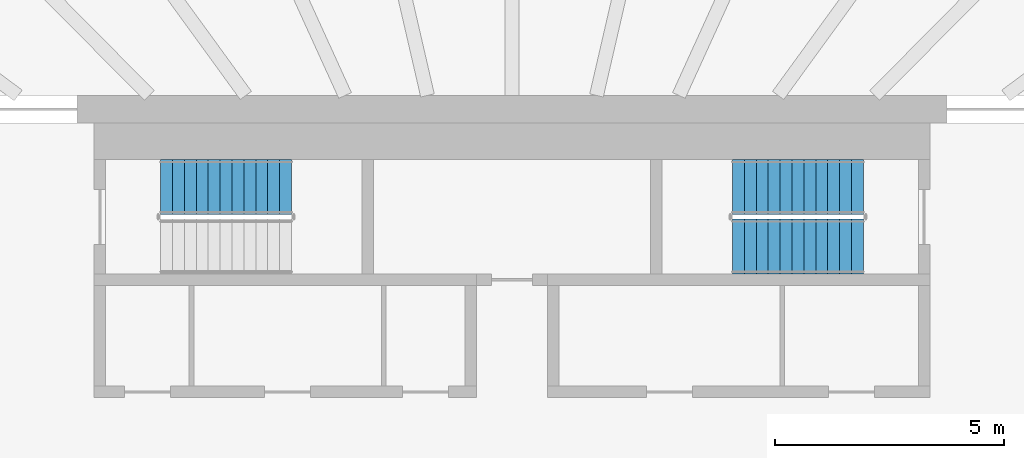
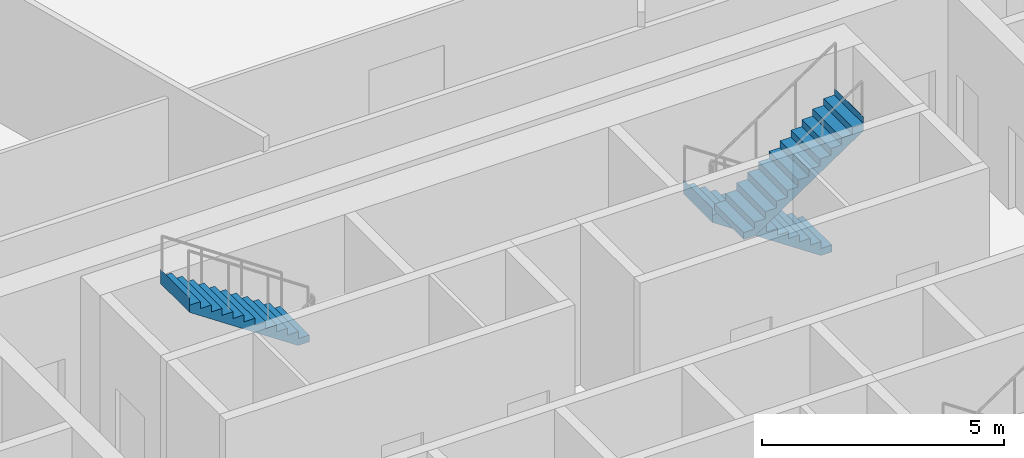
# One storey, part 19 of 25: 3 stair flights, 2 elements without a shape of their own.
"""IFC4 building model written with IfcOpenShell, lengths in metres."""

from ifc_helpers import new_model, si_unit, direction, frame, origin, place, context, subcontext, project, spatial, triangles, material, type_object, element, aggregate, save


model = new_model("IFC4")

# Units and contexts
model_context = context("Model", 3, precision=1e-05, world=origin(), true_north=direction((0.0, 1.0)))
body_context = subcontext(model_context, "Body", "Model", "MODEL_VIEW")
ifc_project = project(units=[si_unit("LENGTHUNIT", "METRE"), si_unit("AREAUNIT", "SQUARE_METRE"), si_unit("VOLUMEUNIT", "CUBIC_METRE"), si_unit("PLANEANGLEUNIT", "RADIAN"), si_unit("MASSUNIT", "GRAM", prefix="KILO")], contexts=[model_context])

# Site, building, storey
site_placement = place(None, origin())
site = spatial("IfcSite", under=ifc_project, at=site_placement, CompositionType="ELEMENT")
building_placement = place(site_placement, origin())
building = spatial("IfcBuilding", under=site, at=building_placement, Name="Sahrelin Media Tower", CompositionType="ELEMENT")
storey_placement = place(building_placement, frame((0.0, 0.0, 114.60009765625)))
storey = spatial("IfcBuildingStorey", under=building, at=storey_placement, Name="L22", CompositionType="ELEMENT", Elevation=114.60009765625)

# Stair, stair flight
ifc_material = material(Name="Concrete C40/50", Category="concrete")
stair_type = type_object("IfcStairType", Name="Exit stair 1200", PredefinedType="HALF_TURN_STAIR", material=ifc_material)
placement = place(storey_placement, origin())
stair_1 = element("IfcStair", 1, at=placement, inside=storey, type_object=stair_type, Name="L22 Exit stair ST1", PredefinedType="HALF_TURN_STAIR")
stair_flight_type = type_object("IfcStairFlightType", Name="Stair flight 1200", PredefinedType="STRAIGHT", material=ifc_material)
stair_flight_1_placement = place(storey_placement, frame((-4.81494140625, 6.0, 2.099853515625), z_axis=(0.0, 0.0, 1.0), x_axis=(-1.0, 0.0, 0.0)))
stair_flight_1 = element("IfcStairFlight", 2, at=stair_flight_1_placement, type_object=stair_flight_type, Name="ST1 flight 2", NumberOfRisers=12, NumberOfTreads=11, PredefinedType="STRAIGHT", RiserHeight=0.175, TreadLength=0.26, context=body_context, shape_type="Tessellation", body=[
    triangles([(0.2685546875, 0.60009765625, 0.0), (0.2685546875, 0.300048828125, 0.0), (0.2685546875, 0.0, 0.0), (0.2685546875, -0.300048828125, 0.0), (0.2685546875, -0.60009765625, 0.0), (2.860107421875, 0.60009765625, 1.744384765625), (2.860107421875, 0.300048828125, 1.744384765625), (2.860107421875, 0.0, 1.744384765625), (2.860107421875, -0.300048828125, 1.744384765625), (2.860107421875, -0.60009765625, 1.744384765625), (2.860107421875, 0.60009765625, 2.10009765625), (2.860107421875, 0.300048828125, 2.10009765625), (2.860107421875, 0.0, 2.10009765625), (2.860107421875, -0.300048828125, 2.10009765625), (2.860107421875, -0.60009765625, 2.10009765625), (2.85791015625, 0.60009765625, 2.10009765625), (2.85791015625, 0.300048828125, 2.10009765625), (2.85791015625, 0.0, 2.10009765625), (2.85791015625, -0.300048828125, 2.10009765625), (2.85791015625, -0.60009765625, 2.10009765625), (2.85791015625, 0.60009765625, 1.925048828125), (2.85791015625, 0.300048828125, 1.925048828125), (2.85791015625, 0.0, 1.925048828125), (2.85791015625, -0.300048828125, 1.925048828125), (2.85791015625, -0.60009765625, 1.925048828125), (2.60009765625, 0.60009765625, 1.925048828125), (2.60009765625, 0.300048828125, 1.925048828125), (2.60009765625, 0.0, 1.925048828125), (2.60009765625, -0.300048828125, 1.925048828125), (2.60009765625, -0.60009765625, 1.925048828125), (2.60009765625, 0.60009765625, 1.75), (2.60009765625, 0.300048828125, 1.75), (2.60009765625, 0.0, 1.75), (2.60009765625, -0.300048828125, 1.75), (2.60009765625, -0.60009765625, 1.75), (2.340087890625, 0.60009765625, 1.75), (2.340087890625, 0.300048828125, 1.75), (2.340087890625, 0.0, 1.75), (2.340087890625, -0.300048828125, 1.75), (2.340087890625, -0.60009765625, 1.75), (2.340087890625, 0.60009765625, 1.574951171875), (2.340087890625, 0.300048828125, 1.574951171875), (2.340087890625, 0.0, 1.574951171875), (2.340087890625, -0.300048828125, 1.574951171875), (2.340087890625, -0.60009765625, 1.574951171875), (2.080078125, 0.60009765625, 1.574951171875), (2.080078125, 0.300048828125, 1.574951171875), (2.080078125, 0.0, 1.574951171875), (2.080078125, -0.300048828125, 1.574951171875), (2.080078125, -0.60009765625, 1.574951171875), (2.080078125, 0.60009765625, 1.39990234375), (2.080078125, 0.300048828125, 1.39990234375), (2.080078125, 0.0, 1.39990234375), (2.080078125, -0.300048828125, 1.39990234375), (2.080078125, -0.60009765625, 1.39990234375), (1.820068359375, 0.60009765625, 1.39990234375), (1.820068359375, 0.300048828125, 1.39990234375), (1.820068359375, 0.0, 1.39990234375), (1.820068359375, -0.300048828125, 1.39990234375), (1.820068359375, -0.60009765625, 1.39990234375), (1.820068359375, 0.60009765625, 1.22509765625), (1.820068359375, 0.300048828125, 1.22509765625), (1.820068359375, 0.0, 1.22509765625), (1.820068359375, -0.300048828125, 1.22509765625), (1.820068359375, -0.60009765625, 1.22509765625), (1.56005859375, 0.60009765625, 1.22509765625), (1.56005859375, 0.300048828125, 1.22509765625), (1.56005859375, 0.0, 1.22509765625), (1.56005859375, -0.300048828125, 1.22509765625), (1.56005859375, -0.60009765625, 1.22509765625), (1.56005859375, 0.60009765625, 1.050048828125), (1.56005859375, 0.300048828125, 1.050048828125), (1.56005859375, 0.0, 1.050048828125), (1.56005859375, -0.300048828125, 1.050048828125), (1.56005859375, -0.60009765625, 1.050048828125), (1.300048828125, 0.60009765625, 1.050048828125), (1.300048828125, 0.300048828125, 1.050048828125), (1.300048828125, 0.0, 1.050048828125), (1.300048828125, -0.300048828125, 1.050048828125), (1.300048828125, -0.60009765625, 1.050048828125), (1.300048828125, 0.60009765625, 0.875), (1.300048828125, 0.300048828125, 0.875), (1.300048828125, 0.0, 0.875), (1.300048828125, -0.300048828125, 0.875), (1.300048828125, -0.60009765625, 0.875), (1.0400390625, 0.60009765625, 0.875), (1.0400390625, 0.300048828125, 0.875), (1.0400390625, 0.0, 0.875), (1.0400390625, -0.300048828125, 0.875), (1.0400390625, -0.60009765625, 0.875), (1.0400390625, 0.60009765625, 0.699951171875), (1.0400390625, 0.300048828125, 0.699951171875), (1.0400390625, 0.0, 0.699951171875), (1.0400390625, -0.300048828125, 0.699951171875), (1.0400390625, -0.60009765625, 0.699951171875), (0.780029296875, 0.60009765625, 0.699951171875), (0.780029296875, 0.300048828125, 0.699951171875), (0.780029296875, 0.0, 0.699951171875), (0.780029296875, -0.300048828125, 0.699951171875), (0.780029296875, -0.60009765625, 0.699951171875), (0.780029296875, 0.60009765625, 0.52490234375), (0.780029296875, 0.300048828125, 0.52490234375), (0.780029296875, 0.0, 0.52490234375), (0.780029296875, -0.300048828125, 0.52490234375), (0.780029296875, -0.60009765625, 0.52490234375), (0.52001953125, 0.60009765625, 0.52490234375), (0.52001953125, 0.300048828125, 0.52490234375), (0.52001953125, 0.0, 0.52490234375), (0.52001953125, -0.300048828125, 0.52490234375), (0.52001953125, -0.60009765625, 0.52490234375), (0.52001953125, 0.60009765625, 0.35009765625), (0.52001953125, 0.300048828125, 0.35009765625), (0.52001953125, 0.0, 0.35009765625), (0.52001953125, -0.300048828125, 0.35009765625), (0.52001953125, -0.60009765625, 0.35009765625), (0.260009765625, 0.60009765625, 0.35009765625), (0.260009765625, 0.300048828125, 0.35009765625), (0.260009765625, 0.0, 0.35009765625), (0.260009765625, -0.300048828125, 0.35009765625), (0.260009765625, -0.60009765625, 0.35009765625), (0.260009765625, 0.60009765625, 0.175048828125), (0.260009765625, 0.300048828125, 0.175048828125), (0.260009765625, 0.0, 0.175048828125), (0.260009765625, -0.300048828125, 0.175048828125), (0.260009765625, -0.60009765625, 0.175048828125), (0.0, 0.60009765625, 0.175048828125), (0.0, 0.300048828125, 0.175048828125), (0.0, 0.0, 0.175048828125), (0.0, -0.300048828125, 0.175048828125), (0.0, -0.60009765625, 0.175048828125), (0.0, 0.60009765625, 0.0), (0.0, 0.300048828125, 0.0), (0.0, 0.0, 0.0), (0.0, -0.300048828125, 0.0), (0.0, -0.60009765625, 0.0)], [[1, 6, 7], [1, 7, 2], [2, 7, 8], [2, 8, 3], [3, 8, 9], [3, 9, 4], [4, 9, 10], [4, 10, 5], [6, 11, 12], [6, 12, 7], [7, 12, 13], [7, 13, 8], [8, 13, 14], [8, 14, 9], [9, 14, 15], [9, 15, 10], [11, 16, 17], [11, 17, 12], [12, 17, 18], [12, 18, 13], [13, 18, 19], [13, 19, 14], [14, 19, 20], [14, 20, 15], [16, 21, 22], [16, 22, 17], [17, 22, 23], [17, 23, 18], [18, 23, 24], [18, 24, 19], [19, 24, 25], [19, 25, 20], [21, 26, 27], [21, 27, 22], [22, 27, 28], [22, 28, 23], [23, 28, 29], [23, 29, 24], [24, 29, 30], [24, 30, 25], [26, 31, 32], [26, 32, 27], [27, 32, 33], [27, 33, 28], [28, 33, 34], [28, 34, 29], [29, 34, 35], [29, 35, 30], [31, 36, 37], [31, 37, 32], [32, 37, 38], [32, 38, 33], [33, 38, 39], [33, 39, 34], [34, 39, 40], [34, 40, 35], [36, 41, 42], [36, 42, 37], [37, 42, 43], [37, 43, 38], [38, 43, 44], [38, 44, 39], [39, 44, 45], [39, 45, 40], [41, 46, 47], [41, 47, 42], [42, 47, 48], [42, 48, 43], [43, 48, 49], [43, 49, 44], [44, 49, 50], [44, 50, 45], [46, 51, 52], [46, 52, 47], [47, 52, 53], [47, 53, 48], [48, 53, 54], [48, 54, 49], [49, 54, 55], [49, 55, 50], [51, 56, 57], [51, 57, 52], [52, 57, 58], [52, 58, 53], [53, 58, 59], [53, 59, 54], [54, 59, 60], [54, 60, 55], [56, 61, 62], [56, 62, 57], [57, 62, 63], [57, 63, 58], [58, 63, 64], [58, 64, 59], [59, 64, 65], [59, 65, 60], [61, 66, 67], [61, 67, 62], [62, 67, 68], [62, 68, 63], [63, 68, 69], [63, 69, 64], [64, 69, 70], [64, 70, 65], [66, 71, 72], [66, 72, 67], [67, 72, 73], [67, 73, 68], [68, 73, 74], [68, 74, 69], [69, 74, 75], [69, 75, 70], [71, 76, 77], [71, 77, 72], [72, 77, 78], [72, 78, 73], [73, 78, 79], [73, 79, 74], [74, 79, 80], [74, 80, 75], [76, 81, 82], [76, 82, 77], [77, 82, 83], [77, 83, 78], [78, 83, 84], [78, 84, 79], [79, 84, 85], [79, 85, 80], [81, 86, 87], [81, 87, 82], [82, 87, 88], [82, 88, 83], [83, 88, 89], [83, 89, 84], [84, 89, 90], [84, 90, 85], [86, 91, 92], [86, 92, 87], [87, 92, 93], [87, 93, 88], [88, 93, 94], [88, 94, 89], [89, 94, 95], [89, 95, 90], [91, 96, 97], [91, 97, 92], [92, 97, 98], [92, 98, 93], [93, 98, 99], [93, 99, 94], [94, 99, 100], [94, 100, 95], [96, 101, 102], [96, 102, 97], [97, 102, 103], [97, 103, 98], [98, 103, 104], [98, 104, 99], [99, 104, 105], [99, 105, 100], [101, 106, 107], [101, 107, 102], [102, 107, 108], [102, 108, 103], [103, 108, 109], [103, 109, 104], [104, 109, 110], [104, 110, 105], [106, 111, 112], [106, 112, 107], [107, 112, 113], [107, 113, 108], [108, 113, 114], [108, 114, 109], [109, 114, 115], [109, 115, 110], [111, 116, 117], [111, 117, 112], [112, 117, 118], [112, 118, 113], [113, 118, 119], [113, 119, 114], [114, 119, 120], [114, 120, 115], [116, 121, 122], [116, 122, 117], [117, 122, 123], [117, 123, 118], [118, 123, 124], [118, 124, 119], [119, 124, 125], [119, 125, 120], [121, 126, 127], [121, 127, 122], [122, 127, 128], [122, 128, 123], [123, 128, 129], [123, 129, 124], [124, 129, 130], [124, 130, 125], [126, 131, 132], [126, 132, 127], [127, 132, 133], [127, 133, 128], [128, 133, 134], [128, 134, 129], [129, 134, 135], [129, 135, 130], [131, 1, 2], [131, 2, 132], [132, 2, 3], [132, 3, 133], [133, 3, 4], [133, 4, 134], [134, 4, 5], [134, 5, 135], [125, 130, 135], [121, 131, 126], [125, 115, 120], [121, 116, 111], [115, 105, 110], [111, 106, 101], [105, 95, 100], [101, 96, 91], [95, 85, 90], [91, 86, 81], [85, 75, 80], [81, 76, 71], [75, 65, 70], [71, 66, 61], [65, 55, 60], [61, 56, 51], [55, 45, 50], [51, 46, 41], [45, 35, 40], [41, 36, 31], [35, 25, 30], [31, 26, 21], [25, 15, 20], [21, 16, 11], [135, 5, 125], [131, 121, 1], [95, 105, 5], [91, 1, 101], [5, 10, 75], [1, 71, 6], [10, 35, 45], [6, 41, 31], [25, 10, 15], [21, 11, 6], [115, 125, 5], [111, 1, 121], [75, 85, 5], [71, 1, 81], [35, 10, 25], [31, 21, 6], [105, 115, 5], [101, 1, 111], [45, 55, 10], [41, 6, 51], [85, 95, 5], [81, 1, 91], [65, 10, 55], [61, 51, 6], [10, 65, 75], [6, 71, 61]], closed=True),
])
aggregate(stair_1, [stair_flight_1])

# Stair, stair flights
stair_2 = element("IfcStair", 3, at=placement, inside=storey, type_object=stair_type, Name="L22 Exit stair ST3", PredefinedType="HALF_TURN_STAIR")
stair_flight_2_placement = place(storey_placement, frame((7.675048828125, 6.0, 0.0), z_axis=(0.0, 0.0, 1.0), x_axis=(-1.0, 0.0, 0.0)))
stair_flight_2 = element("IfcStairFlight", 4, at=stair_flight_2_placement, type_object=stair_flight_type, Name="ST3 flight 1", NumberOfRisers=12, NumberOfTreads=11, PredefinedType="STRAIGHT", RiserHeight=0.175, TreadLength=0.26, context=body_context, shape_type="Tessellation", body=[
    triangles([(0.2685546875, 0.60009765625, 0.0), (0.2685546875, 0.300048828125, 0.0), (0.2685546875, 0.0, 0.0), (0.2685546875, -0.300048828125, 0.0), (0.2685546875, -0.60009765625, 0.0), (2.860107421875, 0.60009765625, 1.744384765625), (2.860107421875, 0.300048828125, 1.744384765625), (2.860107421875, 0.0, 1.744384765625), (2.860107421875, -0.300048828125, 1.744384765625), (2.860107421875, -0.60009765625, 1.744384765625), (2.860107421875, 0.60009765625, 2.10009765625), (2.860107421875, 0.300048828125, 2.10009765625), (2.860107421875, 0.0, 2.10009765625), (2.860107421875, -0.300048828125, 2.10009765625), (2.860107421875, -0.60009765625, 2.10009765625), (2.85791015625, 0.60009765625, 2.10009765625), (2.85791015625, 0.300048828125, 2.10009765625), (2.85791015625, 0.0, 2.10009765625), (2.85791015625, -0.300048828125, 2.10009765625), (2.85791015625, -0.60009765625, 2.10009765625), (2.85791015625, 0.60009765625, 1.925048828125), (2.85791015625, 0.300048828125, 1.925048828125), (2.85791015625, 0.0, 1.925048828125), (2.85791015625, -0.300048828125, 1.925048828125), (2.85791015625, -0.60009765625, 1.925048828125), (2.60009765625, 0.60009765625, 1.925048828125), (2.60009765625, 0.300048828125, 1.925048828125), (2.60009765625, 0.0, 1.925048828125), (2.60009765625, -0.300048828125, 1.925048828125), (2.60009765625, -0.60009765625, 1.925048828125), (2.60009765625, 0.60009765625, 1.75), (2.60009765625, 0.300048828125, 1.75), (2.60009765625, 0.0, 1.75), (2.60009765625, -0.300048828125, 1.75), (2.60009765625, -0.60009765625, 1.75), (2.340087890625, 0.60009765625, 1.75), (2.340087890625, 0.300048828125, 1.75), (2.340087890625, 0.0, 1.75), (2.340087890625, -0.300048828125, 1.75), (2.340087890625, -0.60009765625, 1.75), (2.340087890625, 0.60009765625, 1.574951171875), (2.340087890625, 0.300048828125, 1.574951171875), (2.340087890625, 0.0, 1.574951171875), (2.340087890625, -0.300048828125, 1.574951171875), (2.340087890625, -0.60009765625, 1.574951171875), (2.080078125, 0.60009765625, 1.574951171875), (2.080078125, 0.300048828125, 1.574951171875), (2.080078125, 0.0, 1.574951171875), (2.080078125, -0.300048828125, 1.574951171875), (2.080078125, -0.60009765625, 1.574951171875), (2.080078125, 0.60009765625, 1.39990234375), (2.080078125, 0.300048828125, 1.39990234375), (2.080078125, 0.0, 1.39990234375), (2.080078125, -0.300048828125, 1.39990234375), (2.080078125, -0.60009765625, 1.39990234375), (1.820068359375, 0.60009765625, 1.39990234375), (1.820068359375, 0.300048828125, 1.39990234375), (1.820068359375, 0.0, 1.39990234375), (1.820068359375, -0.300048828125, 1.39990234375), (1.820068359375, -0.60009765625, 1.39990234375), (1.820068359375, 0.60009765625, 1.22509765625), (1.820068359375, 0.300048828125, 1.22509765625), (1.820068359375, 0.0, 1.22509765625), (1.820068359375, -0.300048828125, 1.22509765625), (1.820068359375, -0.60009765625, 1.22509765625), (1.56005859375, 0.60009765625, 1.22509765625), (1.56005859375, 0.300048828125, 1.22509765625), (1.56005859375, 0.0, 1.22509765625), (1.56005859375, -0.300048828125, 1.22509765625), (1.56005859375, -0.60009765625, 1.22509765625), (1.56005859375, 0.60009765625, 1.050048828125), (1.56005859375, 0.300048828125, 1.050048828125), (1.56005859375, 0.0, 1.050048828125), (1.56005859375, -0.300048828125, 1.050048828125), (1.56005859375, -0.60009765625, 1.050048828125), (1.300048828125, 0.60009765625, 1.050048828125), (1.300048828125, 0.300048828125, 1.050048828125), (1.300048828125, 0.0, 1.050048828125), (1.300048828125, -0.300048828125, 1.050048828125), (1.300048828125, -0.60009765625, 1.050048828125), (1.300048828125, 0.60009765625, 0.875), (1.300048828125, 0.300048828125, 0.875), (1.300048828125, 0.0, 0.875), (1.300048828125, -0.300048828125, 0.875), (1.300048828125, -0.60009765625, 0.875), (1.0400390625, 0.60009765625, 0.875), (1.0400390625, 0.300048828125, 0.875), (1.0400390625, 0.0, 0.875), (1.0400390625, -0.300048828125, 0.875), (1.0400390625, -0.60009765625, 0.875), (1.0400390625, 0.60009765625, 0.699951171875), (1.0400390625, 0.300048828125, 0.699951171875), (1.0400390625, 0.0, 0.699951171875), (1.0400390625, -0.300048828125, 0.699951171875), (1.0400390625, -0.60009765625, 0.699951171875), (0.780029296875, 0.60009765625, 0.699951171875), (0.780029296875, 0.300048828125, 0.699951171875), (0.780029296875, 0.0, 0.699951171875), (0.780029296875, -0.300048828125, 0.699951171875), (0.780029296875, -0.60009765625, 0.699951171875), (0.780029296875, 0.60009765625, 0.52490234375), (0.780029296875, 0.300048828125, 0.52490234375), (0.780029296875, 0.0, 0.52490234375), (0.780029296875, -0.300048828125, 0.52490234375), (0.780029296875, -0.60009765625, 0.52490234375), (0.52001953125, 0.60009765625, 0.52490234375), (0.52001953125, 0.300048828125, 0.52490234375), (0.52001953125, 0.0, 0.52490234375), (0.52001953125, -0.300048828125, 0.52490234375), (0.52001953125, -0.60009765625, 0.52490234375), (0.52001953125, 0.60009765625, 0.35009765625), (0.52001953125, 0.300048828125, 0.35009765625), (0.52001953125, 0.0, 0.35009765625), (0.52001953125, -0.300048828125, 0.35009765625), (0.52001953125, -0.60009765625, 0.35009765625), (0.260009765625, 0.60009765625, 0.35009765625), (0.260009765625, 0.300048828125, 0.35009765625), (0.260009765625, 0.0, 0.35009765625), (0.260009765625, -0.300048828125, 0.35009765625), (0.260009765625, -0.60009765625, 0.35009765625), (0.260009765625, 0.60009765625, 0.175048828125), (0.260009765625, 0.300048828125, 0.175048828125), (0.260009765625, 0.0, 0.175048828125), (0.260009765625, -0.300048828125, 0.175048828125), (0.260009765625, -0.60009765625, 0.175048828125), (0.0, 0.60009765625, 0.175048828125), (0.0, 0.300048828125, 0.175048828125), (0.0, 0.0, 0.175048828125), (0.0, -0.300048828125, 0.175048828125), (0.0, -0.60009765625, 0.175048828125), (0.0, 0.60009765625, 0.0), (0.0, 0.300048828125, 0.0), (0.0, 0.0, 0.0), (0.0, -0.300048828125, 0.0), (0.0, -0.60009765625, 0.0)], [[1, 6, 7], [1, 7, 2], [2, 7, 8], [2, 8, 3], [3, 8, 9], [3, 9, 4], [4, 9, 10], [4, 10, 5], [6, 11, 12], [6, 12, 7], [7, 12, 13], [7, 13, 8], [8, 13, 14], [8, 14, 9], [9, 14, 15], [9, 15, 10], [11, 16, 17], [11, 17, 12], [12, 17, 18], [12, 18, 13], [13, 18, 19], [13, 19, 14], [14, 19, 20], [14, 20, 15], [16, 21, 22], [16, 22, 17], [17, 22, 23], [17, 23, 18], [18, 23, 24], [18, 24, 19], [19, 24, 25], [19, 25, 20], [21, 26, 27], [21, 27, 22], [22, 27, 28], [22, 28, 23], [23, 28, 29], [23, 29, 24], [24, 29, 30], [24, 30, 25], [26, 31, 32], [26, 32, 27], [27, 32, 33], [27, 33, 28], [28, 33, 34], [28, 34, 29], [29, 34, 35], [29, 35, 30], [31, 36, 37], [31, 37, 32], [32, 37, 38], [32, 38, 33], [33, 38, 39], [33, 39, 34], [34, 39, 40], [34, 40, 35], [36, 41, 42], [36, 42, 37], [37, 42, 43], [37, 43, 38], [38, 43, 44], [38, 44, 39], [39, 44, 45], [39, 45, 40], [41, 46, 47], [41, 47, 42], [42, 47, 48], [42, 48, 43], [43, 48, 49], [43, 49, 44], [44, 49, 50], [44, 50, 45], [46, 51, 52], [46, 52, 47], [47, 52, 53], [47, 53, 48], [48, 53, 54], [48, 54, 49], [49, 54, 55], [49, 55, 50], [51, 56, 57], [51, 57, 52], [52, 57, 58], [52, 58, 53], [53, 58, 59], [53, 59, 54], [54, 59, 60], [54, 60, 55], [56, 61, 62], [56, 62, 57], [57, 62, 63], [57, 63, 58], [58, 63, 64], [58, 64, 59], [59, 64, 65], [59, 65, 60], [61, 66, 67], [61, 67, 62], [62, 67, 68], [62, 68, 63], [63, 68, 69], [63, 69, 64], [64, 69, 70], [64, 70, 65], [66, 71, 72], [66, 72, 67], [67, 72, 73], [67, 73, 68], [68, 73, 74], [68, 74, 69], [69, 74, 75], [69, 75, 70], [71, 76, 77], [71, 77, 72], [72, 77, 78], [72, 78, 73], [73, 78, 79], [73, 79, 74], [74, 79, 80], [74, 80, 75], [76, 81, 82], [76, 82, 77], [77, 82, 83], [77, 83, 78], [78, 83, 84], [78, 84, 79], [79, 84, 85], [79, 85, 80], [81, 86, 87], [81, 87, 82], [82, 87, 88], [82, 88, 83], [83, 88, 89], [83, 89, 84], [84, 89, 90], [84, 90, 85], [86, 91, 92], [86, 92, 87], [87, 92, 93], [87, 93, 88], [88, 93, 94], [88, 94, 89], [89, 94, 95], [89, 95, 90], [91, 96, 97], [91, 97, 92], [92, 97, 98], [92, 98, 93], [93, 98, 99], [93, 99, 94], [94, 99, 100], [94, 100, 95], [96, 101, 102], [96, 102, 97], [97, 102, 103], [97, 103, 98], [98, 103, 104], [98, 104, 99], [99, 104, 105], [99, 105, 100], [101, 106, 107], [101, 107, 102], [102, 107, 108], [102, 108, 103], [103, 108, 109], [103, 109, 104], [104, 109, 110], [104, 110, 105], [106, 111, 112], [106, 112, 107], [107, 112, 113], [107, 113, 108], [108, 113, 114], [108, 114, 109], [109, 114, 115], [109, 115, 110], [111, 116, 117], [111, 117, 112], [112, 117, 118], [112, 118, 113], [113, 118, 119], [113, 119, 114], [114, 119, 120], [114, 120, 115], [116, 121, 122], [116, 122, 117], [117, 122, 123], [117, 123, 118], [118, 123, 124], [118, 124, 119], [119, 124, 125], [119, 125, 120], [121, 126, 127], [121, 127, 122], [122, 127, 128], [122, 128, 123], [123, 128, 129], [123, 129, 124], [124, 129, 130], [124, 130, 125], [126, 131, 132], [126, 132, 127], [127, 132, 133], [127, 133, 128], [128, 133, 134], [128, 134, 129], [129, 134, 135], [129, 135, 130], [131, 1, 2], [131, 2, 132], [132, 2, 3], [132, 3, 133], [133, 3, 4], [133, 4, 134], [134, 4, 5], [134, 5, 135], [125, 130, 135], [121, 131, 126], [125, 115, 120], [121, 116, 111], [115, 105, 110], [111, 106, 101], [105, 95, 100], [101, 96, 91], [95, 85, 90], [91, 86, 81], [85, 75, 80], [81, 76, 71], [75, 65, 70], [71, 66, 61], [65, 55, 60], [61, 56, 51], [55, 45, 50], [51, 46, 41], [45, 35, 40], [41, 36, 31], [35, 25, 30], [31, 26, 21], [25, 15, 20], [21, 16, 11], [135, 5, 125], [131, 121, 1], [95, 105, 5], [91, 1, 101], [5, 10, 75], [1, 71, 6], [10, 35, 45], [6, 41, 31], [25, 10, 15], [21, 11, 6], [115, 125, 5], [111, 1, 121], [75, 85, 5], [71, 1, 81], [35, 10, 25], [31, 21, 6], [105, 115, 5], [101, 1, 111], [45, 55, 10], [41, 6, 51], [85, 95, 5], [81, 1, 91], [65, 10, 55], [61, 51, 6], [10, 65, 75], [6, 71, 61]], closed=True),
])
stair_flight_3_placement = place(storey_placement, frame((4.81494140625, 4.699951171875, 2.099853515625), z_axis=(0.0, 0.0, 1.0), x_axis=(1.0, 0.0, 0.0)))
stair_flight_3 = element("IfcStairFlight", 5, at=stair_flight_3_placement, type_object=stair_flight_type, Name="ST3 flight 2", NumberOfRisers=12, NumberOfTreads=11, PredefinedType="STRAIGHT", RiserHeight=0.175, TreadLength=0.26, context=body_context, shape_type="Tessellation", body=[
    triangles([(0.2685546875, 0.60009765625, 0.0), (0.2685546875, 0.300048828125, 0.0), (0.2685546875, 0.0, 0.0), (0.2685546875, -0.300048828125, 0.0), (0.2685546875, -0.60009765625, 0.0), (2.860107421875, 0.60009765625, 1.744384765625), (2.860107421875, 0.300048828125, 1.744384765625), (2.860107421875, 0.0, 1.744384765625), (2.860107421875, -0.300048828125, 1.744384765625), (2.860107421875, -0.60009765625, 1.744384765625), (2.860107421875, 0.60009765625, 2.10009765625), (2.860107421875, 0.300048828125, 2.10009765625), (2.860107421875, 0.0, 2.10009765625), (2.860107421875, -0.300048828125, 2.10009765625), (2.860107421875, -0.60009765625, 2.10009765625), (2.85791015625, 0.60009765625, 2.10009765625), (2.85791015625, 0.300048828125, 2.10009765625), (2.85791015625, 0.0, 2.10009765625), (2.85791015625, -0.300048828125, 2.10009765625), (2.85791015625, -0.60009765625, 2.10009765625), (2.85791015625, 0.60009765625, 1.925048828125), (2.85791015625, 0.300048828125, 1.925048828125), (2.85791015625, 0.0, 1.925048828125), (2.85791015625, -0.300048828125, 1.925048828125), (2.85791015625, -0.60009765625, 1.925048828125), (2.60009765625, 0.60009765625, 1.925048828125), (2.60009765625, 0.300048828125, 1.925048828125), (2.60009765625, 0.0, 1.925048828125), (2.60009765625, -0.300048828125, 1.925048828125), (2.60009765625, -0.60009765625, 1.925048828125), (2.60009765625, 0.60009765625, 1.75), (2.60009765625, 0.300048828125, 1.75), (2.60009765625, 0.0, 1.75), (2.60009765625, -0.300048828125, 1.75), (2.60009765625, -0.60009765625, 1.75), (2.340087890625, 0.60009765625, 1.75), (2.340087890625, 0.300048828125, 1.75), (2.340087890625, 0.0, 1.75), (2.340087890625, -0.300048828125, 1.75), (2.340087890625, -0.60009765625, 1.75), (2.340087890625, 0.60009765625, 1.574951171875), (2.340087890625, 0.300048828125, 1.574951171875), (2.340087890625, 0.0, 1.574951171875), (2.340087890625, -0.300048828125, 1.574951171875), (2.340087890625, -0.60009765625, 1.574951171875), (2.080078125, 0.60009765625, 1.574951171875), (2.080078125, 0.300048828125, 1.574951171875), (2.080078125, 0.0, 1.574951171875), (2.080078125, -0.300048828125, 1.574951171875), (2.080078125, -0.60009765625, 1.574951171875), (2.080078125, 0.60009765625, 1.39990234375), (2.080078125, 0.300048828125, 1.39990234375), (2.080078125, 0.0, 1.39990234375), (2.080078125, -0.300048828125, 1.39990234375), (2.080078125, -0.60009765625, 1.39990234375), (1.820068359375, 0.60009765625, 1.39990234375), (1.820068359375, 0.300048828125, 1.39990234375), (1.820068359375, 0.0, 1.39990234375), (1.820068359375, -0.300048828125, 1.39990234375), (1.820068359375, -0.60009765625, 1.39990234375), (1.820068359375, 0.60009765625, 1.22509765625), (1.820068359375, 0.300048828125, 1.22509765625), (1.820068359375, 0.0, 1.22509765625), (1.820068359375, -0.300048828125, 1.22509765625), (1.820068359375, -0.60009765625, 1.22509765625), (1.56005859375, 0.60009765625, 1.22509765625), (1.56005859375, 0.300048828125, 1.22509765625), (1.56005859375, 0.0, 1.22509765625), (1.56005859375, -0.300048828125, 1.22509765625), (1.56005859375, -0.60009765625, 1.22509765625), (1.56005859375, 0.60009765625, 1.050048828125), (1.56005859375, 0.300048828125, 1.050048828125), (1.56005859375, 0.0, 1.050048828125), (1.56005859375, -0.300048828125, 1.050048828125), (1.56005859375, -0.60009765625, 1.050048828125), (1.300048828125, 0.60009765625, 1.050048828125), (1.300048828125, 0.300048828125, 1.050048828125), (1.300048828125, 0.0, 1.050048828125), (1.300048828125, -0.300048828125, 1.050048828125), (1.300048828125, -0.60009765625, 1.050048828125), (1.300048828125, 0.60009765625, 0.875), (1.300048828125, 0.300048828125, 0.875), (1.300048828125, 0.0, 0.875), (1.300048828125, -0.300048828125, 0.875), (1.300048828125, -0.60009765625, 0.875), (1.0400390625, 0.60009765625, 0.875), (1.0400390625, 0.300048828125, 0.875), (1.0400390625, 0.0, 0.875), (1.0400390625, -0.300048828125, 0.875), (1.0400390625, -0.60009765625, 0.875), (1.0400390625, 0.60009765625, 0.699951171875), (1.0400390625, 0.300048828125, 0.699951171875), (1.0400390625, 0.0, 0.699951171875), (1.0400390625, -0.300048828125, 0.699951171875), (1.0400390625, -0.60009765625, 0.699951171875), (0.780029296875, 0.60009765625, 0.699951171875), (0.780029296875, 0.300048828125, 0.699951171875), (0.780029296875, 0.0, 0.699951171875), (0.780029296875, -0.300048828125, 0.699951171875), (0.780029296875, -0.60009765625, 0.699951171875), (0.780029296875, 0.60009765625, 0.52490234375), (0.780029296875, 0.300048828125, 0.52490234375), (0.780029296875, 0.0, 0.52490234375), (0.780029296875, -0.300048828125, 0.52490234375), (0.780029296875, -0.60009765625, 0.52490234375), (0.52001953125, 0.60009765625, 0.52490234375), (0.52001953125, 0.300048828125, 0.52490234375), (0.52001953125, 0.0, 0.52490234375), (0.52001953125, -0.300048828125, 0.52490234375), (0.52001953125, -0.60009765625, 0.52490234375), (0.52001953125, 0.60009765625, 0.35009765625), (0.52001953125, 0.300048828125, 0.35009765625), (0.52001953125, 0.0, 0.35009765625), (0.52001953125, -0.300048828125, 0.35009765625), (0.52001953125, -0.60009765625, 0.35009765625), (0.260009765625, 0.60009765625, 0.35009765625), (0.260009765625, 0.300048828125, 0.35009765625), (0.260009765625, 0.0, 0.35009765625), (0.260009765625, -0.300048828125, 0.35009765625), (0.260009765625, -0.60009765625, 0.35009765625), (0.260009765625, 0.60009765625, 0.175048828125), (0.260009765625, 0.300048828125, 0.175048828125), (0.260009765625, 0.0, 0.175048828125), (0.260009765625, -0.300048828125, 0.175048828125), (0.260009765625, -0.60009765625, 0.175048828125), (0.0, 0.60009765625, 0.175048828125), (0.0, 0.300048828125, 0.175048828125), (0.0, 0.0, 0.175048828125), (0.0, -0.300048828125, 0.175048828125), (0.0, -0.60009765625, 0.175048828125), (0.0, 0.60009765625, 0.0), (0.0, 0.300048828125, 0.0), (0.0, 0.0, 0.0), (0.0, -0.300048828125, 0.0), (0.0, -0.60009765625, 0.0)], [[1, 6, 7], [1, 7, 2], [2, 7, 8], [2, 8, 3], [3, 8, 9], [3, 9, 4], [4, 9, 10], [4, 10, 5], [6, 11, 12], [6, 12, 7], [7, 12, 13], [7, 13, 8], [8, 13, 14], [8, 14, 9], [9, 14, 15], [9, 15, 10], [11, 16, 17], [11, 17, 12], [12, 17, 18], [12, 18, 13], [13, 18, 19], [13, 19, 14], [14, 19, 20], [14, 20, 15], [16, 21, 22], [16, 22, 17], [17, 22, 23], [17, 23, 18], [18, 23, 24], [18, 24, 19], [19, 24, 25], [19, 25, 20], [21, 26, 27], [21, 27, 22], [22, 27, 28], [22, 28, 23], [23, 28, 29], [23, 29, 24], [24, 29, 30], [24, 30, 25], [26, 31, 32], [26, 32, 27], [27, 32, 33], [27, 33, 28], [28, 33, 34], [28, 34, 29], [29, 34, 35], [29, 35, 30], [31, 36, 37], [31, 37, 32], [32, 37, 38], [32, 38, 33], [33, 38, 39], [33, 39, 34], [34, 39, 40], [34, 40, 35], [36, 41, 42], [36, 42, 37], [37, 42, 43], [37, 43, 38], [38, 43, 44], [38, 44, 39], [39, 44, 45], [39, 45, 40], [41, 46, 47], [41, 47, 42], [42, 47, 48], [42, 48, 43], [43, 48, 49], [43, 49, 44], [44, 49, 50], [44, 50, 45], [46, 51, 52], [46, 52, 47], [47, 52, 53], [47, 53, 48], [48, 53, 54], [48, 54, 49], [49, 54, 55], [49, 55, 50], [51, 56, 57], [51, 57, 52], [52, 57, 58], [52, 58, 53], [53, 58, 59], [53, 59, 54], [54, 59, 60], [54, 60, 55], [56, 61, 62], [56, 62, 57], [57, 62, 63], [57, 63, 58], [58, 63, 64], [58, 64, 59], [59, 64, 65], [59, 65, 60], [61, 66, 67], [61, 67, 62], [62, 67, 68], [62, 68, 63], [63, 68, 69], [63, 69, 64], [64, 69, 70], [64, 70, 65], [66, 71, 72], [66, 72, 67], [67, 72, 73], [67, 73, 68], [68, 73, 74], [68, 74, 69], [69, 74, 75], [69, 75, 70], [71, 76, 77], [71, 77, 72], [72, 77, 78], [72, 78, 73], [73, 78, 79], [73, 79, 74], [74, 79, 80], [74, 80, 75], [76, 81, 82], [76, 82, 77], [77, 82, 83], [77, 83, 78], [78, 83, 84], [78, 84, 79], [79, 84, 85], [79, 85, 80], [81, 86, 87], [81, 87, 82], [82, 87, 88], [82, 88, 83], [83, 88, 89], [83, 89, 84], [84, 89, 90], [84, 90, 85], [86, 91, 92], [86, 92, 87], [87, 92, 93], [87, 93, 88], [88, 93, 94], [88, 94, 89], [89, 94, 95], [89, 95, 90], [91, 96, 97], [91, 97, 92], [92, 97, 98], [92, 98, 93], [93, 98, 99], [93, 99, 94], [94, 99, 100], [94, 100, 95], [96, 101, 102], [96, 102, 97], [97, 102, 103], [97, 103, 98], [98, 103, 104], [98, 104, 99], [99, 104, 105], [99, 105, 100], [101, 106, 107], [101, 107, 102], [102, 107, 108], [102, 108, 103], [103, 108, 109], [103, 109, 104], [104, 109, 110], [104, 110, 105], [106, 111, 112], [106, 112, 107], [107, 112, 113], [107, 113, 108], [108, 113, 114], [108, 114, 109], [109, 114, 115], [109, 115, 110], [111, 116, 117], [111, 117, 112], [112, 117, 118], [112, 118, 113], [113, 118, 119], [113, 119, 114], [114, 119, 120], [114, 120, 115], [116, 121, 122], [116, 122, 117], [117, 122, 123], [117, 123, 118], [118, 123, 124], [118, 124, 119], [119, 124, 125], [119, 125, 120], [121, 126, 127], [121, 127, 122], [122, 127, 128], [122, 128, 123], [123, 128, 129], [123, 129, 124], [124, 129, 130], [124, 130, 125], [126, 131, 132], [126, 132, 127], [127, 132, 133], [127, 133, 128], [128, 133, 134], [128, 134, 129], [129, 134, 135], [129, 135, 130], [131, 1, 2], [131, 2, 132], [132, 2, 3], [132, 3, 133], [133, 3, 4], [133, 4, 134], [134, 4, 5], [134, 5, 135], [125, 130, 135], [121, 131, 126], [125, 115, 120], [121, 116, 111], [115, 105, 110], [111, 106, 101], [105, 95, 100], [101, 96, 91], [95, 85, 90], [91, 86, 81], [85, 75, 80], [81, 76, 71], [75, 65, 70], [71, 66, 61], [65, 55, 60], [61, 56, 51], [55, 45, 50], [51, 46, 41], [45, 35, 40], [41, 36, 31], [35, 25, 30], [31, 26, 21], [25, 15, 20], [21, 16, 11], [135, 5, 125], [131, 121, 1], [95, 105, 5], [91, 1, 101], [5, 10, 75], [1, 71, 6], [10, 35, 45], [6, 41, 31], [25, 10, 15], [21, 11, 6], [115, 125, 5], [111, 1, 121], [75, 85, 5], [71, 1, 81], [35, 10, 25], [31, 21, 6], [105, 115, 5], [101, 1, 111], [45, 55, 10], [41, 6, 51], [85, 95, 5], [81, 1, 91], [65, 10, 55], [61, 51, 6], [10, 65, 75], [6, 71, 61]], closed=True),
])
aggregate(stair_2, [stair_flight_2, stair_flight_3])

save(model, "model.ifc")
